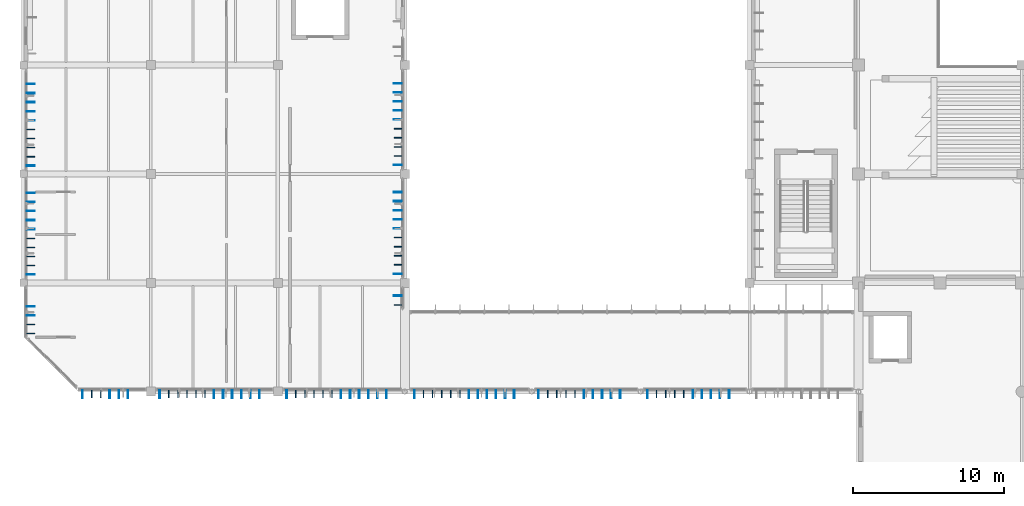
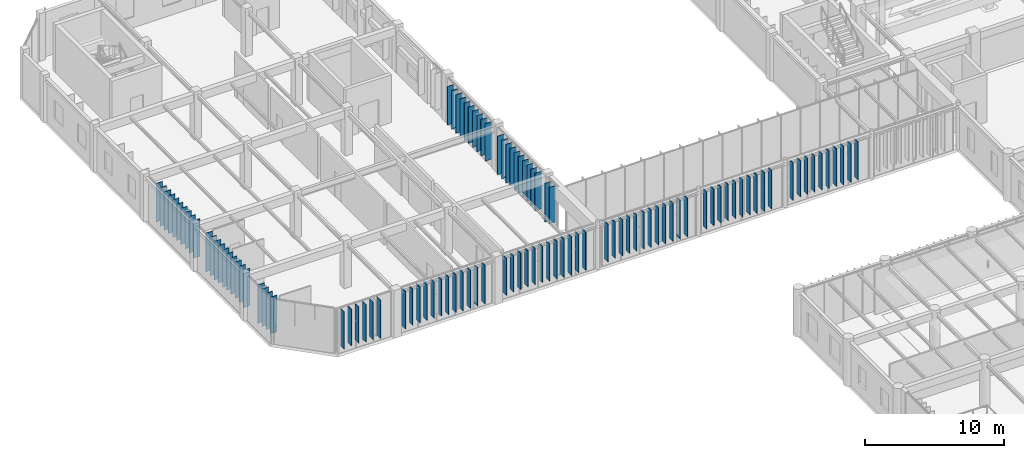
# One storey, part 18 of 122: 108 plates.
"""IFC4 building model written with IfcOpenShell, lengths in metres."""

import ifcopenshell
import ifcopenshell.guid

model = None  # the IFC model being written
_history = None  # IfcOwnerHistory: only IFC2X3 demands one
_inside = {}  # id of a spatial element -> (the spatial element, [elements in it])
_under = {}  # id of a project, library or spatial element -> (it, [spatial elements below it])
_declared = {}  # id of a project -> (the project, [libraries it declares])
_typed = {}  # id of a type object -> (the type object, [elements of that type])
_made_of = {}  # id of a material, layer set ... -> (it, [elements and type objects made of it])


def new_model(schema):
    """Start an empty IFC model of exactly this schema.

    Asked for "IFC4X3", IfcOpenShell would pick the latest addendum, in which some entities
    have other attributes; the version numbers below select the first issue.
    IFC2X3 requires an IfcOwnerHistory on every rooted entity: one is made here for all.
    """
    global model, _history
    if schema == "IFC4X3":
        model = ifcopenshell.file(schema_version=(4, 3, 0, 0))
    else:
        model = ifcopenshell.file(schema=schema)
    _inside.clear()
    _under.clear()
    _declared.clear()
    _typed.clear()
    _made_of.clear()
    _history = None
    if model.schema == "IFC2X3":
        org = make("IfcOrganization", Name="unknown")
        user = make(
            "IfcPersonAndOrganization",
            ThePerson=make("IfcPerson", FamilyName="unknown"),
            TheOrganization=org,
        )
        app = make(
            "IfcApplication",
            ApplicationDeveloper=org,
            Version="unknown",
            ApplicationFullName="unknown",
            ApplicationIdentifier="unknown",
        )
        _history = make(
            "IfcOwnerHistory",
            OwningUser=user,
            OwningApplication=app,
            ChangeAction="ADDED",
            CreationDate=0,
        )
    return model


def make(cls, **values):
    """One entity of the class cls with the attributes given. An attribute that is None is left unset."""
    return model.create_entity(
        cls, **{name: value for name, value in values.items() if value is not None}
    )


def rooted(cls, **values):
    """An entity with a GlobalId (a new one), such as an element, a storey or a relation."""
    return make(cls, GlobalId=ifcopenshell.guid.new(), OwnerHistory=_history, **values)


def si_unit(unit_type, name, prefix=None):
    """IfcSIUnit, for example si_unit("LENGTHUNIT", "METRE", prefix="MILLI")."""
    return make("IfcSIUnit", UnitType=unit_type, Prefix=prefix, Name=name)


def assignment(units):
    """IfcUnitAssignment: the units of a project."""
    return None if units is None else make("IfcUnitAssignment", Units=units)


def point(xyz):
    """IfcCartesianPoint."""
    return None if xyz is None else make("IfcCartesianPoint", Coordinates=xyz)


def direction(xyz):
    """IfcDirection."""
    return None if xyz is None else make("IfcDirection", DirectionRatios=xyz)


def frame(location, z_axis=None, x_axis=None):
    """IfcAxis2Placement3D, a coordinate frame: its origin and axes. An axis left out is left unset."""
    return make(
        "IfcAxis2Placement3D",
        Location=point(location),
        Axis=direction(z_axis),
        RefDirection=direction(x_axis),
    )


def frame_2d(location, x_axis=None):
    """IfcAxis2Placement2D, a coordinate frame in the plane: its origin and x axis."""
    return make(
        "IfcAxis2Placement2D", Location=point(location), RefDirection=direction(x_axis)
    )


def origin():
    """The frame at (0, 0, 0) with its axes left unset."""
    return frame((0.0, 0.0, 0.0))


def origin_2d():
    """The frame at (0, 0) in the plane with its x axis left unset."""
    return frame_2d((0.0, 0.0))


def place(relative_to, where):
    """IfcLocalPlacement: puts the frame where relative to a parent placement (None: the world)."""
    return make(
        "IfcLocalPlacement", PlacementRelTo=relative_to, RelativePlacement=where
    )


def context(
    kind, dimensions, precision=None, world=None, true_north=None, identifier=None
):
    """IfcGeometricRepresentationContext, for example the 3D "Model" context."""
    return make(
        "IfcGeometricRepresentationContext",
        ContextIdentifier=identifier,
        ContextType=kind,
        CoordinateSpaceDimension=dimensions,
        Precision=precision,
        WorldCoordinateSystem=world,
        TrueNorth=true_north,
    )


def subcontext(parent, identifier, kind, view, scale=None):
    """IfcGeometricRepresentationSubContext, for example "Body" below "Model"."""
    return make(
        "IfcGeometricRepresentationSubContext",
        ContextIdentifier=identifier,
        ContextType=kind,
        ParentContext=parent,
        TargetScale=scale,
        TargetView=view,
    )


def project(units=None, contexts=None):
    """IfcProject with its units and contexts."""
    return rooted(
        "IfcProject",
        Name="project",
        RepresentationContexts=contexts,
        UnitsInContext=assignment(units),
    )


def spatial(cls, under=None, at=None, **own):
    """A site, building, storey or space (cls), placed at a placement, below another one or the project."""
    s = rooted(cls, ObjectPlacement=at, **own)
    if under is not None:
        _under.setdefault(under.id(), (under, []))[1].append(s)
    return s


def profile(cls, at=None, kind="AREA", **sizes):
    """A parametric profile (cls). Its sizes go by their IFC names, for example OverallWidth=200.0."""
    return make(cls, ProfileType=kind, Position=at, **sizes)


def rectangle(**sizes):
    """IfcRectangleProfileDef."""
    return profile("IfcRectangleProfileDef", **sizes)


def extrude(swept, where, along, depth):
    """IfcExtrudedAreaSolid: the profile swept, set in the frame where, extruded along a direction by depth."""
    return make(
        "IfcExtrudedAreaSolid",
        SweptArea=swept,
        Position=where,
        ExtrudedDirection=direction(along),
        Depth=depth,
    )


def shape(context_of_items, identifier, shape_type, items):
    """IfcShapeRepresentation: the items that make up one representation, for example the "Body"."""
    return make(
        "IfcShapeRepresentation",
        ContextOfItems=context_of_items,
        RepresentationIdentifier=identifier,
        RepresentationType=shape_type,
        Items=items,
    )


def material(Name=None, Category=None):
    """IfcMaterial."""
    return make("IfcMaterial", Name=Name, Category=Category)


def layer(
    of_material, thickness, ventilated=None, Name=None, Category=None, Priority=None
):
    """IfcMaterialLayer: one layer of a wall or slab, of a material (None: an air gap)."""
    return make(
        "IfcMaterialLayer",
        Material=of_material,
        LayerThickness=thickness,
        IsVentilated=ventilated,
        Name=Name,
        Category=Category,
        Priority=Priority,
    )


def layer_set(layers, Name=None):
    """IfcMaterialLayerSet."""
    return make("IfcMaterialLayerSet", MaterialLayers=layers, LayerSetName=Name)


def made_of(thing, what):
    """Note that an element or type object is made of a material, layer set ...; save() writes the relation."""
    if what is not None:
        _made_of.setdefault(what.id(), (what, []))[1].append(thing)
    return thing


def type_object(cls, material=None, **own):
    """A type object (cls), such as IfcWallType, which elements share."""
    return made_of(rooted(cls, **own), material)


def element(
    cls,
    number,
    at=None,
    inside=None,
    cuts=None,
    type_object=None,
    material=None,
    context=None,
    identifier="Body",
    shape_type=None,
    held_by="IfcProductDefinitionShape",
    body=None,
    shapes=None,
    **own,
):
    """One element of the class cls, such as IfcWall. Its Tag is "e" and its number.

    at: its placement. inside: the storey or other place that contains it. cuts: it is an
    opening in that element (IfcRelVoidsElement). A single representation is given by context,
    identifier, shape_type and body (its items); several are given by shapes. held_by: the class
    of the entity that holds the representations. save() writes the other relations.
    """
    e = rooted(cls, Tag="e%d" % number, ObjectPlacement=at, **own)
    if body is not None:
        shapes = [shape(context, identifier, shape_type, body)]
    if shapes is not None:
        e.Representation = make(held_by, Representations=shapes)
    if inside is not None:
        _inside.setdefault(inside.id(), (inside, []))[1].append(e)
    if cuts is not None:
        rooted(
            "IfcRelVoidsElement", RelatingBuildingElement=cuts, RelatedOpeningElement=e
        )
    if type_object is not None:
        _typed.setdefault(type_object.id(), (type_object, []))[1].append(e)
    return made_of(e, material)


def aggregate(whole, parts):
    """IfcRelAggregates: a whole, such as a stair, and the parts it consists of."""
    return rooted("IfcRelAggregates", RelatingObject=whole, RelatedObjects=parts)


def save(model, path):
    """Write the relations noted so far, then the file.

    IfcRelAggregates (storeys below a building ...), IfcRelContainedInSpatialStructure (elements
    in a storey), IfcRelDefinesByType, IfcRelAssociatesMaterial and IfcRelDeclares: one each for
    every whole, place, type object, material and project.
    """
    for whole, parts in _under.values():
        aggregate(whole, parts)
    for where, things in _inside.values():
        rooted(
            "IfcRelContainedInSpatialStructure",
            RelatedElements=things,
            RelatingStructure=where,
        )
    for kind, things in _typed.values():
        rooted("IfcRelDefinesByType", RelatedObjects=things, RelatingType=kind)
    for what, things in _made_of.values():
        rooted("IfcRelAssociatesMaterial", RelatedObjects=things, RelatingMaterial=what)
    for by, libraries in _declared.values():
        rooted("IfcRelDeclares", RelatingContext=by, RelatedDefinitions=libraries)
    model.write(path)


model = new_model("IFC4")

# Units and contexts
model_context = context("Model", 3, precision=1e-05, world=origin(), true_north=direction((0.0, 1.0)))
body_context = subcontext(model_context, "Body", "Model", "MODEL_VIEW")
ifc_project = project(units=[si_unit("LENGTHUNIT", "METRE"), si_unit("AREAUNIT", "SQUARE_METRE"), si_unit("VOLUMEUNIT", "CUBIC_METRE"), si_unit("PLANEANGLEUNIT", "RADIAN"), si_unit("MASSUNIT", "GRAM", prefix="KILO")], contexts=[model_context])

# Site, building, storey
site_placement = place(None, origin())
site = spatial("IfcSite", under=ifc_project, at=site_placement, CompositionType="ELEMENT")
building_placement = place(site_placement, origin())
building = spatial("IfcBuilding", under=site, at=building_placement, Name="Tazoul Stagehouse", CompositionType="ELEMENT")
storey_placement = place(building_placement, frame((0.0, 0.0, 4.800048828125)))
storey = spatial("IfcBuildingStorey", under=building, at=storey_placement, Name="L01", CompositionType="ELEMENT", Elevation=4.800048828125)

# Plates
ifc_material = material(Name="Anodised Bronze Aluminium 6063-T6", Category="aluminium")
ifc_layer_1 = layer(ifc_material, 0.52001953125, Name="Anodised Bronze Aluminium 6063-T6")
ifc_layer_set_1 = layer_set([ifc_layer_1], Name="Anodised Bronze Aluminium 6063-T6")
plate_type_1 = type_object("IfcPlateType", Name="Parametric Terracotta-Bronze Solar Fin 520x3200", PredefinedType="USERDEFINED", material=ifc_layer_set_1)
for number, where, z_axis, x_axis, name in (
    (1, (6.889892578125, 44.449951171875, 0.68994140625), (0.0, 0.0, 1.0), (1.0, 0.0, 0.0), "L01 Parametric Solar Fin SFN-18 (CW-V6-S-L01-B1-02)"),
    (2, (7.489990234375, 44.449951171875, 0.68994140625), (0.0, 0.0, 1.0), (1.0, 0.0, 0.0), "L01 Parametric Solar Fin SFN-18 (CW-V6-S-L01-B1-03)"),
    (3, (11.989990234375, 44.449951171875, 0.68994140625), (0.0, 0.0, 1.0), (1.0, 0.0, 0.0), "L01 Parametric Solar Fin SFN-18 (CW-V6-S-L01-B2-02)"),
    (4, (12.590087890625, 44.449951171875, 0.68994140625), (0.0, 0.0, 1.0), (1.0, 0.0, 0.0), "L01 Parametric Solar Fin SFN-18 (CW-V6-S-L01-B2-03)"),
    (5, (13.18994140625, 44.449951171875, 0.68994140625), (0.0, 0.0, 1.0), (1.0, 0.0, 0.0), "L01 Parametric Solar Fin SFN-18 (CW-V6-S-L01-B2-04)"),
    (6, (13.7900390625, 44.449951171875, 0.68994140625), (0.0, 0.0, 1.0), (1.0, 0.0, 0.0), "L01 Parametric Solar Fin SFN-18 (CW-V6-S-L01-B2-05)"),
    (7, (14.389892578125, 44.449951171875, 0.68994140625), (0.0, 0.0, 1.0), (1.0, 0.0, 0.0), "L01 Parametric Solar Fin SFN-18 (CW-V6-S-L01-B2-06)"),
    (8, (20.389892578125, 44.449951171875, 0.68994140625), (0.0, 0.0, 1.0), (1.0, 0.0, 0.0), "L01 Parametric Solar Fin SFN-18 (CW-V6-S-L01-B3-02)"),
    (9, (20.989990234375, 44.449951171875, 0.68994140625), (0.0, 0.0, 1.0), (1.0, 0.0, 0.0), "L01 Parametric Solar Fin SFN-18 (CW-V6-S-L01-B3-03)"),
    (10, (21.590087890625, 44.449951171875, 0.68994140625), (0.0, 0.0, 1.0), (1.0, 0.0, 0.0), "L01 Parametric Solar Fin SFN-18 (CW-V6-S-L01-B3-04)"),
    (11, (22.18994140625, 44.449951171875, 0.68994140625), (0.0, 0.0, 1.0), (1.0, 0.0, 0.0), "L01 Parametric Solar Fin SFN-18 (CW-V6-S-L01-B3-05)"),
    (12, (22.7900390625, 44.449951171875, 0.68994140625), (0.0, 0.0, 1.0), (1.0, 0.0, 0.0), "L01 Parametric Solar Fin SFN-18 (CW-V6-S-L01-B3-06)"),
    (13, (2.85009765625, 48.43994140625, 0.68994140625), (0.0, 0.0, 1.0), (0.0, 1.0, 0.0), "L01 Parametric Solar Fin SFN-18 (CW-V6-W1-L01-B1-01)"),
    (14, (2.85009765625, 49.0400390625, 0.68994140625), (0.0, 0.0, 1.0), (0.0, 1.0, 0.0), "L01 Parametric Solar Fin SFN-18 (CW-V6-W1-L01-B1-02)"),
    (15, (2.85009765625, 52.93994140625, 0.68994140625), (0.0, 0.0, 1.0), (0.0, 1.0, 0.0), "L01 Parametric Solar Fin SFN-18 (CW-V6-W1-L01-B2-02)"),
    (16, (2.85009765625, 53.5400390625, 0.68994140625), (0.0, 0.0, 1.0), (0.0, 1.0, 0.0), "L01 Parametric Solar Fin SFN-18 (CW-V6-W1-L01-B2-03)"),
    (17, (2.85009765625, 54.139892578125, 0.68994140625), (0.0, 0.0, 1.0), (0.0, 1.0, 0.0), "L01 Parametric Solar Fin SFN-18 (CW-V6-W1-L01-B2-04)"),
    (18, (2.85009765625, 54.739990234375, 0.68994140625), (0.0, 0.0, 1.0), (0.0, 1.0, 0.0), "L01 Parametric Solar Fin SFN-18 (CW-V6-W1-L01-B2-05)"),
    (19, (2.85009765625, 60.139892578125, 0.68994140625), (0.0, 0.0, 1.0), (0.0, 1.0, 0.0), "L01 Parametric Solar Fin SFN-18 (CW-V6-W1-L01-B3-02)"),
    (20, (2.85009765625, 60.739990234375, 0.68994140625), (0.0, 0.0, 1.0), (0.0, 1.0, 0.0), "L01 Parametric Solar Fin SFN-18 (CW-V6-W1-L01-B3-03)"),
    (21, (2.85009765625, 61.340087890625, 0.68994140625), (0.0, 0.0, 1.0), (0.0, 1.0, 0.0), "L01 Parametric Solar Fin SFN-18 (CW-V6-W1-L01-B3-04)"),
    (22, (2.85009765625, 61.93994140625, 0.68994140625), (0.0, 0.0, 1.0), (0.0, 1.0, 0.0), "L01 Parametric Solar Fin SFN-18 (CW-V6-W1-L01-B3-05)"),
    (23, (27.14990234375, 50.340087890625, 0.68994140625), (0.0, 0.0, 1.0), (0.0, 1.0, 0.0), "L01 Parametric Solar Fin SFN-18 (CW-V6-E1-L01-B1-01)"),
    (24, (27.14990234375, 52.989990234375, 0.68994140625), (0.0, 0.0, 1.0), (0.0, 1.0, 0.0), "L01 Parametric Solar Fin SFN-18 (CW-V6-E1-L01-B2-02)"),
    (25, (27.14990234375, 53.590087890625, 0.68994140625), (0.0, 0.0, 1.0), (0.0, 1.0, 0.0), "L01 Parametric Solar Fin SFN-18 (CW-V6-E1-L01-B2-03)"),
    (26, (27.14990234375, 54.18994140625, 0.68994140625), (0.0, 0.0, 1.0), (0.0, 1.0, 0.0), "L01 Parametric Solar Fin SFN-18 (CW-V6-E1-L01-B2-04)"),
    (27, (27.14990234375, 54.7900390625, 0.68994140625), (0.0, 0.0, 1.0), (0.0, 1.0, 0.0), "L01 Parametric Solar Fin SFN-18 (CW-V6-E1-L01-B2-05)"),
    (28, (27.14990234375, 60.18994140625, 0.68994140625), (0.0, 0.0, 1.0), (0.0, 1.0, 0.0), "L01 Parametric Solar Fin SFN-18 (CW-V6-E1-L01-B3-02)"),
    (29, (27.14990234375, 60.7900390625, 0.68994140625), (0.0, 0.0, 1.0), (0.0, 1.0, 0.0), "L01 Parametric Solar Fin SFN-18 (CW-V6-E1-L01-B3-03)"),
    (30, (27.14990234375, 61.389892578125, 0.68994140625), (0.0, 0.0, 1.0), (0.0, 1.0, 0.0), "L01 Parametric Solar Fin SFN-18 (CW-V6-E1-L01-B3-04)"),
    (31, (27.14990234375, 61.989990234375, 0.68994140625), (0.0, 0.0, 1.0), (0.0, 1.0, 0.0), "L01 Parametric Solar Fin SFN-18 (CW-V6-E1-L01-B3-05)"),
    (32, (28.840087890625, 44.449951171875, 0.68994140625), (0.0, 0.0, 1.0), (1.0, 0.0, 0.0), "L01 Parametric Solar Fin SFN-18 (CW-WLNK-S-L01-B1-02)"),
    (33, (29.43994140625, 44.449951171875, 0.68994140625), (0.0, 0.0, 1.0), (1.0, 0.0, 0.0), "L01 Parametric Solar Fin SFN-18 (CW-WLNK-S-L01-B1-03)"),
    (34, (30.0400390625, 44.449951171875, 0.68994140625), (0.0, 0.0, 1.0), (1.0, 0.0, 0.0), "L01 Parametric Solar Fin SFN-18 (CW-WLNK-S-L01-B1-04)"),
    (35, (30.639892578125, 44.449951171875, 0.68994140625), (0.0, 0.0, 1.0), (1.0, 0.0, 0.0), "L01 Parametric Solar Fin SFN-18 (CW-WLNK-S-L01-B1-05)"),
    (36, (31.239990234375, 44.449951171875, 0.68994140625), (0.0, 0.0, 1.0), (1.0, 0.0, 0.0), "L01 Parametric Solar Fin SFN-18 (CW-WLNK-S-L01-B1-06)"),
    (37, (37.052001953125, 44.449951171875, 0.68994140625), (0.0, 0.0, 1.0), (1.0, 0.0, 0.0), "L01 Parametric Solar Fin SFN-18 (CW-WLNK-S-L01-B2-02)"),
    (38, (37.652099609375, 44.449951171875, 0.68994140625), (0.0, 0.0, 1.0), (1.0, 0.0, 0.0), "L01 Parametric Solar Fin SFN-18 (CW-WLNK-S-L01-B2-03)"),
    (39, (38.251953125, 44.449951171875, 0.68994140625), (0.0, 0.0, 1.0), (1.0, 0.0, 0.0), "L01 Parametric Solar Fin SFN-18 (CW-WLNK-S-L01-B2-04)"),
    (40, (38.85205078125, 44.449951171875, 0.68994140625), (0.0, 0.0, 1.0), (1.0, 0.0, 0.0), "L01 Parametric Solar Fin SFN-18 (CW-WLNK-S-L01-B2-05)"),
    (41, (44.251953125, 44.449951171875, 0.68994140625), (0.0, 0.0, 1.0), (1.0, 0.0, 0.0), "L01 Parametric Solar Fin SFN-18 (CW-WLNK-S-L01-B3-02)"),
    (42, (44.85205078125, 44.449951171875, 0.68994140625), (0.0, 0.0, 1.0), (1.0, 0.0, 0.0), "L01 Parametric Solar Fin SFN-18 (CW-WLNK-S-L01-B3-03)"),
    (43, (45.451904296875, 44.449951171875, 0.68994140625), (0.0, 0.0, 1.0), (1.0, 0.0, 0.0), "L01 Parametric Solar Fin SFN-18 (CW-WLNK-S-L01-B3-04)"),
    (44, (46.052001953125, 44.449951171875, 0.68994140625), (0.0, 0.0, 1.0), (1.0, 0.0, 0.0), "L01 Parametric Solar Fin SFN-18 (CW-WLNK-S-L01-B3-05)"),
):
    element("IfcPlate", number, at=place(storey_placement, frame(where, z_axis=z_axis, x_axis=x_axis)), inside=storey, type_object=plate_type_1, Name=name, ObjectType="SOLAR FIN", PredefinedType="USERDEFINED", context=body_context, shape_type="SweptSolid", body=[
        extrude(rectangle(XDim=0.044921875, YDim=0.52001953125, at=origin_2d()), origin(), (0.0, 0.0, 1.0), 3.199951171875),
    ])
ifc_layer_2 = layer(ifc_material, 0.530029296875, Name="Anodised Bronze Aluminium 6063-T6")
ifc_layer_set_2 = layer_set([ifc_layer_2], Name="Anodised Bronze Aluminium 6063-T6")
plate_type_2 = type_object("IfcPlateType", Name="Parametric Terracotta-Bronze Solar Fin 530x3300", PredefinedType="USERDEFINED", material=ifc_layer_set_2)
for number, where, z_axis, x_axis, name in (
    (45, (6.2900390625, 44.445068359375, 0.58984375), (0.0, 0.0, 1.0), (1.0, 0.0, 0.0), "L01 Parametric Solar Fin SFN-19 (CW-V6-S-L01-B1-01)"),
    (46, (8.090087890625, 44.445068359375, 0.58984375), (0.0, 0.0, 1.0), (1.0, 0.0, 0.0), "L01 Parametric Solar Fin SFN-19 (CW-V6-S-L01-B1-04)"),
    (47, (8.68994140625, 44.445068359375, 0.58984375), (0.0, 0.0, 1.0), (1.0, 0.0, 0.0), "L01 Parametric Solar Fin SFN-19 (CW-V6-S-L01-B1-05)"),
    (48, (11.389892578125, 44.445068359375, 0.58984375), (0.0, 0.0, 1.0), (1.0, 0.0, 0.0), "L01 Parametric Solar Fin SFN-19 (CW-V6-S-L01-B2-01)"),
    (49, (14.989990234375, 44.445068359375, 0.58984375), (0.0, 0.0, 1.0), (1.0, 0.0, 0.0), "L01 Parametric Solar Fin SFN-19 (CW-V6-S-L01-B2-07)"),
    (50, (15.590087890625, 44.445068359375, 0.58984375), (0.0, 0.0, 1.0), (1.0, 0.0, 0.0), "L01 Parametric Solar Fin SFN-19 (CW-V6-S-L01-B2-08)"),
    (51, (19.7900390625, 44.445068359375, 0.58984375), (0.0, 0.0, 1.0), (1.0, 0.0, 0.0), "L01 Parametric Solar Fin SFN-19 (CW-V6-S-L01-B3-01)"),
    (52, (23.389892578125, 44.445068359375, 0.58984375), (0.0, 0.0, 1.0), (1.0, 0.0, 0.0), "L01 Parametric Solar Fin SFN-19 (CW-V6-S-L01-B3-07)"),
    (53, (23.989990234375, 44.445068359375, 0.58984375), (0.0, 0.0, 1.0), (1.0, 0.0, 0.0), "L01 Parametric Solar Fin SFN-19 (CW-V6-S-L01-B3-08)"),
    (54, (2.85498046875, 49.639892578125, 0.58984375), (0.0, 0.0, 1.0), (0.0, 1.0, 0.0), "L01 Parametric Solar Fin SFN-19 (CW-V6-W1-L01-B1-03)"),
    (55, (2.85498046875, 52.340087890625, 0.58984375), (0.0, 0.0, 1.0), (0.0, 1.0, 0.0), "L01 Parametric Solar Fin SFN-19 (CW-V6-W1-L01-B2-01)"),
    (56, (2.85498046875, 55.340087890625, 0.58984375), (0.0, 0.0, 1.0), (0.0, 1.0, 0.0), "L01 Parametric Solar Fin SFN-19 (CW-V6-W1-L01-B2-06)"),
    (57, (2.85498046875, 55.93994140625, 0.58984375), (0.0, 0.0, 1.0), (0.0, 1.0, 0.0), "L01 Parametric Solar Fin SFN-19 (CW-V6-W1-L01-B2-07)"),
    (58, (2.85498046875, 59.5400390625, 0.58984375), (0.0, 0.0, 1.0), (0.0, 1.0, 0.0), "L01 Parametric Solar Fin SFN-19 (CW-V6-W1-L01-B3-01)"),
    (59, (2.85498046875, 62.5400390625, 0.58984375), (0.0, 0.0, 1.0), (0.0, 1.0, 0.0), "L01 Parametric Solar Fin SFN-19 (CW-V6-W1-L01-B3-06)"),
    (60, (2.85498046875, 63.139892578125, 0.58984375), (0.0, 0.0, 1.0), (0.0, 1.0, 0.0), "L01 Parametric Solar Fin SFN-19 (CW-V6-W1-L01-B3-07)"),
    (61, (27.14501953125, 52.389892578125, 0.58984375), (0.0, 0.0, 1.0), (0.0, 1.0, 0.0), "L01 Parametric Solar Fin SFN-19 (CW-V6-E1-L01-B2-01)"),
    (62, (27.14501953125, 55.389892578125, 0.58984375), (0.0, 0.0, 1.0), (0.0, 1.0, 0.0), "L01 Parametric Solar Fin SFN-19 (CW-V6-E1-L01-B2-06)"),
    (63, (27.14501953125, 55.989990234375, 0.58984375), (0.0, 0.0, 1.0), (0.0, 1.0, 0.0), "L01 Parametric Solar Fin SFN-19 (CW-V6-E1-L01-B2-07)"),
    (64, (27.14501953125, 59.590087890625, 0.58984375), (0.0, 0.0, 1.0), (0.0, 1.0, 0.0), "L01 Parametric Solar Fin SFN-19 (CW-V6-E1-L01-B3-01)"),
    (65, (27.14501953125, 62.590087890625, 0.58984375), (0.0, 0.0, 1.0), (0.0, 1.0, 0.0), "L01 Parametric Solar Fin SFN-19 (CW-V6-E1-L01-B3-06)"),
    (66, (27.14501953125, 63.18994140625, 0.58984375), (0.0, 0.0, 1.0), (0.0, 1.0, 0.0), "L01 Parametric Solar Fin SFN-19 (CW-V6-E1-L01-B3-07)"),
    (67, (28.239990234375, 44.445068359375, 0.58984375), (0.0, 0.0, 1.0), (1.0, 0.0, 0.0), "L01 Parametric Solar Fin SFN-19 (CW-WLNK-S-L01-B1-01)"),
    (68, (31.840087890625, 44.445068359375, 0.58984375), (0.0, 0.0, 1.0), (1.0, 0.0, 0.0), "L01 Parametric Solar Fin SFN-19 (CW-WLNK-S-L01-B1-07)"),
    (69, (32.43994140625, 44.445068359375, 0.58984375), (0.0, 0.0, 1.0), (1.0, 0.0, 0.0), "L01 Parametric Solar Fin SFN-19 (CW-WLNK-S-L01-B1-08)"),
    (70, (36.451904296875, 44.445068359375, 0.58984375), (0.0, 0.0, 1.0), (1.0, 0.0, 0.0), "L01 Parametric Solar Fin SFN-19 (CW-WLNK-S-L01-B2-01)"),
    (71, (39.451904296875, 44.445068359375, 0.58984375), (0.0, 0.0, 1.0), (1.0, 0.0, 0.0), "L01 Parametric Solar Fin SFN-19 (CW-WLNK-S-L01-B2-06)"),
    (72, (40.052001953125, 44.445068359375, 0.58984375), (0.0, 0.0, 1.0), (1.0, 0.0, 0.0), "L01 Parametric Solar Fin SFN-19 (CW-WLNK-S-L01-B2-07)"),
    (73, (43.652099609375, 44.445068359375, 0.58984375), (0.0, 0.0, 1.0), (1.0, 0.0, 0.0), "L01 Parametric Solar Fin SFN-19 (CW-WLNK-S-L01-B3-01)"),
    (74, (46.652099609375, 44.445068359375, 0.58984375), (0.0, 0.0, 1.0), (1.0, 0.0, 0.0), "L01 Parametric Solar Fin SFN-19 (CW-WLNK-S-L01-B3-06)"),
    (75, (47.251953125, 44.445068359375, 0.58984375), (0.0, 0.0, 1.0), (1.0, 0.0, 0.0), "L01 Parametric Solar Fin SFN-19 (CW-WLNK-S-L01-B3-07)"),
):
    element("IfcPlate", number, at=place(storey_placement, frame(where, z_axis=z_axis, x_axis=x_axis)), inside=storey, type_object=plate_type_2, Name=name, ObjectType="SOLAR FIN", PredefinedType="USERDEFINED", context=body_context, shape_type="SweptSolid", body=[
        extrude(rectangle(XDim=0.044921875, YDim=0.530029296875, at=origin_2d()), origin(), (0.0, 0.0, 1.0), 3.300048828125),
    ])
ifc_layer_3 = layer(ifc_material, 0.5400390625, Name="Anodised Bronze Aluminium 6063-T6")
ifc_layer_set_3 = layer_set([ifc_layer_3], Name="Anodised Bronze Aluminium 6063-T6")
plate_type_3 = type_object("IfcPlateType", Name="Parametric Terracotta-Bronze Solar Fin 540x3400", PredefinedType="USERDEFINED", material=ifc_layer_set_3)
for number, where, z_axis, x_axis, name in (
    (76, (9.2900390625, 44.43994140625, 0.489990234375), (0.0, 0.0, 1.0), (1.0, 0.0, 0.0), "L01 Parametric Solar Fin SFN-20 (CW-V6-S-L01-B1-06)"),
    (77, (16.18994140625, 44.43994140625, 0.489990234375), (0.0, 0.0, 1.0), (1.0, 0.0, 0.0), "L01 Parametric Solar Fin SFN-20 (CW-V6-S-L01-B2-09)"),
    (78, (16.7900390625, 44.43994140625, 0.489990234375), (0.0, 0.0, 1.0), (1.0, 0.0, 0.0), "L01 Parametric Solar Fin SFN-20 (CW-V6-S-L01-B2-10)"),
    (79, (17.389892578125, 44.43994140625, 0.489990234375), (0.0, 0.0, 1.0), (1.0, 0.0, 0.0), "L01 Parametric Solar Fin SFN-20 (CW-V6-S-L01-B2-11)"),
    (80, (17.989990234375, 44.43994140625, 0.489990234375), (0.0, 0.0, 1.0), (1.0, 0.0, 0.0), "L01 Parametric Solar Fin SFN-20 (CW-V6-S-L01-B2-12)"),
    (81, (24.590087890625, 44.43994140625, 0.489990234375), (0.0, 0.0, 1.0), (1.0, 0.0, 0.0), "L01 Parametric Solar Fin SFN-20 (CW-V6-S-L01-B3-09)"),
    (82, (25.18994140625, 44.43994140625, 0.489990234375), (0.0, 0.0, 1.0), (1.0, 0.0, 0.0), "L01 Parametric Solar Fin SFN-20 (CW-V6-S-L01-B3-10)"),
    (83, (25.7900390625, 44.43994140625, 0.489990234375), (0.0, 0.0, 1.0), (1.0, 0.0, 0.0), "L01 Parametric Solar Fin SFN-20 (CW-V6-S-L01-B3-11)"),
    (84, (26.389892578125, 44.43994140625, 0.489990234375), (0.0, 0.0, 1.0), (1.0, 0.0, 0.0), "L01 Parametric Solar Fin SFN-20 (CW-V6-S-L01-B3-12)"),
    (85, (2.860107421875, 50.239990234375, 0.489990234375), (0.0, 0.0, 1.0), (0.0, 1.0, 0.0), "L01 Parametric Solar Fin SFN-20 (CW-V6-W1-L01-B1-04)"),
    (86, (2.860107421875, 56.5400390625, 0.489990234375), (0.0, 0.0, 1.0), (0.0, 1.0, 0.0), "L01 Parametric Solar Fin SFN-20 (CW-V6-W1-L01-B2-08)"),
    (87, (2.860107421875, 57.139892578125, 0.489990234375), (0.0, 0.0, 1.0), (0.0, 1.0, 0.0), "L01 Parametric Solar Fin SFN-20 (CW-V6-W1-L01-B2-09)"),
    (88, (2.860107421875, 57.739990234375, 0.489990234375), (0.0, 0.0, 1.0), (0.0, 1.0, 0.0), "L01 Parametric Solar Fin SFN-20 (CW-V6-W1-L01-B2-10)"),
    (89, (2.860107421875, 63.739990234375, 0.489990234375), (0.0, 0.0, 1.0), (0.0, 1.0, 0.0), "L01 Parametric Solar Fin SFN-20 (CW-V6-W1-L01-B3-08)"),
    (90, (2.860107421875, 64.340087890625, 0.489990234375), (0.0, 0.0, 1.0), (0.0, 1.0, 0.0), "L01 Parametric Solar Fin SFN-20 (CW-V6-W1-L01-B3-09)"),
    (91, (2.860107421875, 64.93994140625, 0.489990234375), (0.0, 0.0, 1.0), (0.0, 1.0, 0.0), "L01 Parametric Solar Fin SFN-20 (CW-V6-W1-L01-B3-10)"),
    (92, (27.139892578125, 50.93994140625, 0.489990234375), (0.0, 0.0, 1.0), (0.0, 1.0, 0.0), "L01 Parametric Solar Fin SFN-20 (CW-V6-E1-L01-B1-02)"),
    (93, (27.139892578125, 56.590087890625, 0.489990234375), (0.0, 0.0, 1.0), (0.0, 1.0, 0.0), "L01 Parametric Solar Fin SFN-20 (CW-V6-E1-L01-B2-08)"),
    (94, (27.139892578125, 57.18994140625, 0.489990234375), (0.0, 0.0, 1.0), (0.0, 1.0, 0.0), "L01 Parametric Solar Fin SFN-20 (CW-V6-E1-L01-B2-09)"),
    (95, (27.139892578125, 57.7900390625, 0.489990234375), (0.0, 0.0, 1.0), (0.0, 1.0, 0.0), "L01 Parametric Solar Fin SFN-20 (CW-V6-E1-L01-B2-10)"),
    (96, (27.139892578125, 63.7900390625, 0.489990234375), (0.0, 0.0, 1.0), (0.0, 1.0, 0.0), "L01 Parametric Solar Fin SFN-20 (CW-V6-E1-L01-B3-08)"),
    (97, (27.139892578125, 64.389892578125, 0.489990234375), (0.0, 0.0, 1.0), (0.0, 1.0, 0.0), "L01 Parametric Solar Fin SFN-20 (CW-V6-E1-L01-B3-09)"),
    (98, (27.139892578125, 64.989990234375, 0.489990234375), (0.0, 0.0, 1.0), (0.0, 1.0, 0.0), "L01 Parametric Solar Fin SFN-20 (CW-V6-E1-L01-B3-10)"),
    (99, (33.0400390625, 44.43994140625, 0.489990234375), (0.0, 0.0, 1.0), (1.0, 0.0, 0.0), "L01 Parametric Solar Fin SFN-20 (CW-WLNK-S-L01-B1-09)"),
    (100, (33.639892578125, 44.43994140625, 0.489990234375), (0.0, 0.0, 1.0), (1.0, 0.0, 0.0), "L01 Parametric Solar Fin SFN-20 (CW-WLNK-S-L01-B1-10)"),
    (101, (34.239990234375, 44.43994140625, 0.489990234375), (0.0, 0.0, 1.0), (1.0, 0.0, 0.0), "L01 Parametric Solar Fin SFN-20 (CW-WLNK-S-L01-B1-11)"),
    (102, (34.840087890625, 44.43994140625, 0.489990234375), (0.0, 0.0, 1.0), (1.0, 0.0, 0.0), "L01 Parametric Solar Fin SFN-20 (CW-WLNK-S-L01-B1-12)"),
    (103, (40.652099609375, 44.43994140625, 0.489990234375), (0.0, 0.0, 1.0), (1.0, 0.0, 0.0), "L01 Parametric Solar Fin SFN-20 (CW-WLNK-S-L01-B2-08)"),
    (104, (41.251953125, 44.43994140625, 0.489990234375), (0.0, 0.0, 1.0), (1.0, 0.0, 0.0), "L01 Parametric Solar Fin SFN-20 (CW-WLNK-S-L01-B2-09)"),
    (105, (41.85205078125, 44.43994140625, 0.489990234375), (0.0, 0.0, 1.0), (1.0, 0.0, 0.0), "L01 Parametric Solar Fin SFN-20 (CW-WLNK-S-L01-B2-10)"),
    (106, (47.85205078125, 44.43994140625, 0.489990234375), (0.0, 0.0, 1.0), (1.0, 0.0, 0.0), "L01 Parametric Solar Fin SFN-20 (CW-WLNK-S-L01-B3-08)"),
    (107, (48.451904296875, 44.43994140625, 0.489990234375), (0.0, 0.0, 1.0), (1.0, 0.0, 0.0), "L01 Parametric Solar Fin SFN-20 (CW-WLNK-S-L01-B3-09)"),
    (108, (49.052001953125, 44.43994140625, 0.489990234375), (0.0, 0.0, 1.0), (1.0, 0.0, 0.0), "L01 Parametric Solar Fin SFN-20 (CW-WLNK-S-L01-B3-10)"),
):
    element("IfcPlate", number, at=place(storey_placement, frame(where, z_axis=z_axis, x_axis=x_axis)), inside=storey, type_object=plate_type_3, Name=name, ObjectType="SOLAR FIN", PredefinedType="USERDEFINED", context=body_context, shape_type="SweptSolid", body=[
        extrude(rectangle(XDim=0.044921875, YDim=0.5400390625, at=origin_2d()), origin(), (0.0, 0.0, 1.0), 3.39990234375),
    ])

save(model, "model.ifc")
